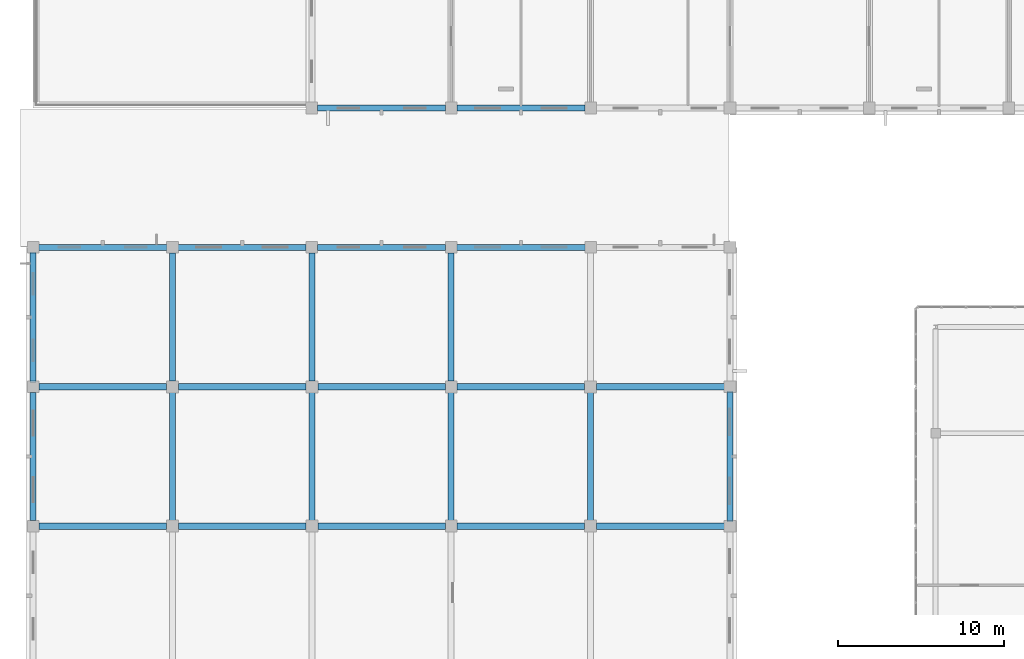
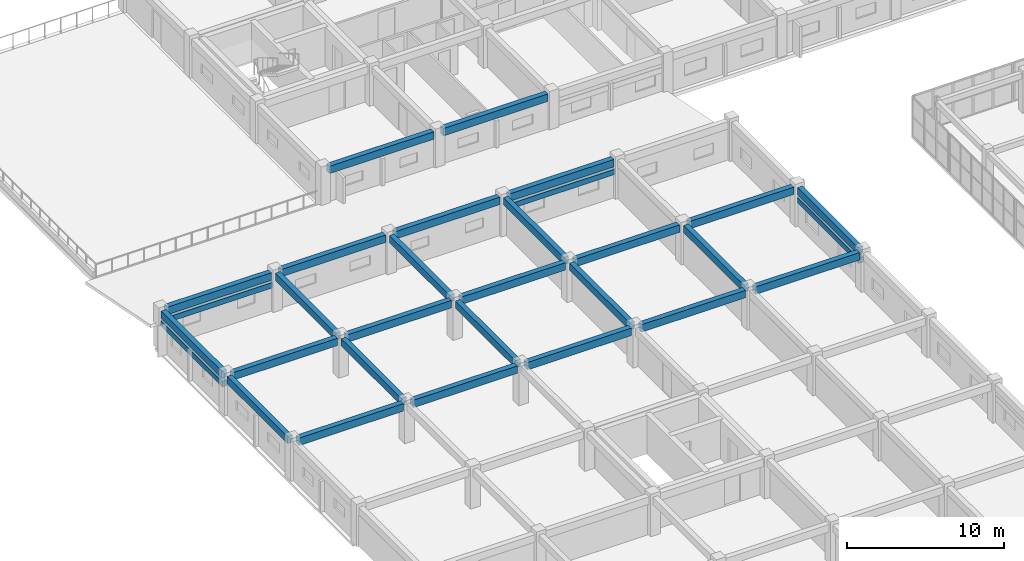
# One storey, part 50 of 148: 30 beams.
"""IFC4 building model written with IfcOpenShell, lengths in metres."""

from ifc_helpers import new_model, si_unit, direction, frame, origin, origin_2d, place, context, subcontext, project, spatial, rectangle, extrude, material, material_profile, profile_set, type_object, element, save


model = new_model("IFC4")

# Units and contexts
model_context = context("Model", 3, precision=1e-05, world=origin(), true_north=direction((0.0, 1.0)))
body_context = subcontext(model_context, "Body", "Model", "MODEL_VIEW")
ifc_project = project(units=[si_unit("LENGTHUNIT", "METRE"), si_unit("AREAUNIT", "SQUARE_METRE"), si_unit("VOLUMEUNIT", "CUBIC_METRE"), si_unit("PLANEANGLEUNIT", "RADIAN"), si_unit("MASSUNIT", "GRAM", prefix="KILO")], contexts=[model_context])

# Site, building, storey
site_placement = place(None, origin())
site = spatial("IfcSite", under=ifc_project, at=site_placement, CompositionType="ELEMENT")
building_placement = place(site_placement, origin())
building = spatial("IfcBuilding", under=site, at=building_placement, Name="Trelvath General Hospital", CompositionType="ELEMENT")
storey_placement = place(building_placement, frame((0.0, 0.0, 12.89990234375)))
storey = spatial("IfcBuildingStorey", under=building, at=storey_placement, Name="L03", CompositionType="ELEMENT", Elevation=12.89990234375)

# Beams
ifc_material_1 = material(Name="Concrete C35/45", Category="concrete")
ifc_material_profile_1 = material_profile(ifc_material_1, rectangle(XDim=0.360107421875, YDim=0.56005859375, at=origin_2d()), Name="RCB360x560")
ifc_profile_set_1 = profile_set([ifc_material_profile_1], Name="Concrete C35/45")
beam_type_1 = type_object("IfcBeamType", Name="Beam RC360x560", PredefinedType="BEAM", material=ifc_profile_set_1)
for number, where, z_axis, x_axis, name in (
    (1, (0.0, 67.544921875, 2.739990234375), (0.0, 1.0, 0.0), (-1.0, 0.0, 0.0), "Grid Beam BY-300I"),
    (2, (0.0, 75.945068359375, 2.739990234375), (0.0, 1.0, 0.0), (-1.0, 0.0, 0.0), "Grid Beam BY-300J"),
):
    element("IfcBeam", number, at=place(storey_placement, frame(where, z_axis=z_axis, x_axis=x_axis)), inside=storey, type_object=beam_type_1, Name=name, PredefinedType="BEAM", context=body_context, shape_type="SweptSolid", body=[
        extrude(rectangle(XDim=0.360107421875, YDim=0.56005859375, at=origin_2d()), origin(), (0.0, 0.0, 1.0), 7.7099609375),
    ])
beam_1_placement = place(storey_placement, frame((8.39990234375, 67.554931640625, 2.739990234375), z_axis=(0.0, 1.0, 0.0), x_axis=(-1.0, 0.0, 0.0)))
element("IfcBeam", 3, at=beam_1_placement, inside=storey, type_object=beam_type_1, Name="Grid Beam BY-301I", PredefinedType="BEAM", context=body_context, shape_type="SweptSolid", body=[
    extrude(rectangle(XDim=0.360107421875, YDim=0.56005859375, at=origin_2d()), origin(), (0.0, 0.0, 1.0), 7.690185546875),
])
beam_2_placement = place(storey_placement, frame((8.39990234375, 75.955078125, 2.739990234375), z_axis=(0.0, 1.0, 0.0), x_axis=(-1.0, 0.0, 0.0)))
element("IfcBeam", 4, at=beam_2_placement, inside=storey, type_object=beam_type_1, Name="Grid Beam BY-301J", PredefinedType="BEAM", context=body_context, shape_type="SweptSolid", body=[
    extrude(rectangle(XDim=0.360107421875, YDim=0.56005859375, at=origin_2d()), origin(), (0.0, 0.0, 1.0), 7.699951171875),
])
beam_3_placement = place(storey_placement, frame((16.800048828125, 67.554931640625, 2.739990234375), z_axis=(0.0, 1.0, 0.0), x_axis=(-1.0, 0.0, 0.0)))
element("IfcBeam", 5, at=beam_3_placement, inside=storey, type_object=beam_type_1, Name="Grid Beam BY-302I", PredefinedType="BEAM", context=body_context, shape_type="SweptSolid", body=[
    extrude(rectangle(XDim=0.360107421875, YDim=0.56005859375, at=origin_2d()), origin(), (0.0, 0.0, 1.0), 7.690185546875),
])
beam_4_placement = place(storey_placement, frame((16.800048828125, 75.955078125, 2.739990234375), z_axis=(0.0, 1.0, 0.0), x_axis=(-1.0, 0.0, 0.0)))
element("IfcBeam", 6, at=beam_4_placement, inside=storey, type_object=beam_type_1, Name="Grid Beam BY-302J", PredefinedType="BEAM", context=body_context, shape_type="SweptSolid", body=[
    extrude(rectangle(XDim=0.360107421875, YDim=0.56005859375, at=origin_2d()), origin(), (0.0, 0.0, 1.0), 7.699951171875),
])
beam_5_placement = place(storey_placement, frame((25.199951171875, 67.554931640625, 2.739990234375), z_axis=(0.0, 1.0, 0.0), x_axis=(-1.0, 0.0, 0.0)))
element("IfcBeam", 7, at=beam_5_placement, inside=storey, type_object=beam_type_1, Name="Grid Beam BY-303I", PredefinedType="BEAM", context=body_context, shape_type="SweptSolid", body=[
    extrude(rectangle(XDim=0.360107421875, YDim=0.56005859375, at=origin_2d()), origin(), (0.0, 0.0, 1.0), 7.690185546875),
])
beam_6_placement = place(storey_placement, frame((25.199951171875, 75.955078125, 2.739990234375), z_axis=(0.0, 1.0, 0.0), x_axis=(-1.0, 0.0, 0.0)))
element("IfcBeam", 8, at=beam_6_placement, inside=storey, type_object=beam_type_1, Name="Grid Beam BY-303J", PredefinedType="BEAM", context=body_context, shape_type="SweptSolid", body=[
    extrude(rectangle(XDim=0.360107421875, YDim=0.56005859375, at=origin_2d()), origin(), (0.0, 0.0, 1.0), 7.699951171875),
])
beam_7_placement = place(storey_placement, frame((33.60009765625, 67.554931640625, 2.739990234375), z_axis=(0.0, 1.0, 0.0), x_axis=(-1.0, 0.0, 0.0)))
element("IfcBeam", 9, at=beam_7_placement, inside=storey, type_object=beam_type_1, Name="Grid Beam BY-304I", PredefinedType="BEAM", context=body_context, shape_type="SweptSolid", body=[
    extrude(rectangle(XDim=0.360107421875, YDim=0.56005859375, at=origin_2d()), origin(), (0.0, 0.0, 1.0), 7.690185546875),
])
beam_8_placement = place(storey_placement, frame((42.0, 67.544921875, 2.739990234375), z_axis=(0.0, 1.0, 0.0), x_axis=(-1.0, 0.0, 0.0)))
element("IfcBeam", 10, at=beam_8_placement, inside=storey, type_object=beam_type_1, Name="Grid Beam BY-305I", PredefinedType="BEAM", context=body_context, shape_type="SweptSolid", body=[
    extrude(rectangle(XDim=0.360107421875, YDim=0.56005859375, at=origin_2d()), origin(), (0.0, 0.0, 1.0), 7.7099609375),
])
ifc_material_2 = material(Name="Concrete C35/45", Category="concrete")
ifc_material_profile_2 = material_profile(ifc_material_2, rectangle(XDim=0.3798828125, YDim=0.580078125, at=origin_2d()), Name="RCB380x580")
ifc_profile_set_2 = profile_set([ifc_material_profile_2], Name="Concrete C35/45")
beam_type_2 = type_object("IfcBeamType", Name="Beam RC380x580", PredefinedType="BEAM", material=ifc_profile_set_2)
for number, where, z_axis, x_axis, name in (
    (11, (0.344970703125, 67.199951171875, 2.72998046875), (1.0, 0.0, 0.0), (0.0, 1.0, 0.0), "Grid Beam BX-300I"),
    (12, (0.344970703125, 75.60009765625, 2.72998046875), (1.0, 0.0, 0.0), (0.0, 1.0, 0.0), "Grid Beam BX-300J"),
):
    element("IfcBeam", number, at=place(storey_placement, frame(where, z_axis=z_axis, x_axis=x_axis)), inside=storey, type_object=beam_type_2, Name=name, PredefinedType="BEAM", context=body_context, shape_type="SweptSolid", body=[
        extrude(rectangle(XDim=0.3798828125, YDim=0.580078125, at=origin_2d()), origin(), (0.0, 0.0, 1.0), 7.699951171875),
    ])
beam_9_placement = place(storey_placement, frame((0.344970703125, 84.0, 2.72998046875), z_axis=(1.0, 0.0, 0.0), x_axis=(0.0, 1.0, 0.0)))
element("IfcBeam", 13, at=beam_9_placement, inside=storey, type_object=beam_type_2, Name="Grid Beam BX-300K", PredefinedType="BEAM", context=body_context, shape_type="SweptSolid", body=[
    extrude(rectangle(XDim=0.3798828125, YDim=0.580078125, at=origin_2d()), origin(), (0.0, 0.0, 1.0), 7.7099609375),
])
for number, where, z_axis, x_axis, name in (
    (14, (8.7548828125, 67.199951171875, 2.72998046875), (1.0, 0.0, 0.0), (0.0, 1.0, 0.0), "Grid Beam BX-301I"),
    (15, (8.7548828125, 75.60009765625, 2.72998046875), (1.0, 0.0, 0.0), (0.0, 1.0, 0.0), "Grid Beam BX-301J"),
):
    element("IfcBeam", number, at=place(storey_placement, frame(where, z_axis=z_axis, x_axis=x_axis)), inside=storey, type_object=beam_type_2, Name=name, PredefinedType="BEAM", context=body_context, shape_type="SweptSolid", body=[
        extrude(rectangle(XDim=0.3798828125, YDim=0.580078125, at=origin_2d()), origin(), (0.0, 0.0, 1.0), 7.690185546875),
    ])
beam_10_placement = place(storey_placement, frame((8.7451171875, 84.0, 2.72998046875), z_axis=(1.0, 0.0, 0.0), x_axis=(0.0, 1.0, 0.0)))
element("IfcBeam", 16, at=beam_10_placement, inside=storey, type_object=beam_type_2, Name="Grid Beam BX-301K", PredefinedType="BEAM", context=body_context, shape_type="SweptSolid", body=[
    extrude(rectangle(XDim=0.3798828125, YDim=0.580078125, at=origin_2d()), origin(), (0.0, 0.0, 1.0), 7.7099609375),
])
for number, where, z_axis, x_axis, name in (
    (17, (17.155029296875, 67.199951171875, 2.72998046875), (1.0, 0.0, 0.0), (0.0, 1.0, 0.0), "Grid Beam BX-302I"),
    (18, (17.155029296875, 75.60009765625, 2.72998046875), (1.0, 0.0, 0.0), (0.0, 1.0, 0.0), "Grid Beam BX-302J"),
):
    element("IfcBeam", number, at=place(storey_placement, frame(where, z_axis=z_axis, x_axis=x_axis)), inside=storey, type_object=beam_type_2, Name=name, PredefinedType="BEAM", context=body_context, shape_type="SweptSolid", body=[
        extrude(rectangle(XDim=0.3798828125, YDim=0.580078125, at=origin_2d()), origin(), (0.0, 0.0, 1.0), 7.68994140625),
    ])
for number, where, z_axis, x_axis, name in (
    (19, (17.14501953125, 84.0, 2.72998046875), (1.0, 0.0, 0.0), (0.0, 1.0, 0.0), "Grid Beam BX-302K"),
    (20, (17.14501953125, 92.39990234375, 2.72998046875), (1.0, 0.0, 0.0), (0.0, 1.0, 0.0), "Grid Beam BX-302L"),
):
    element("IfcBeam", number, at=place(storey_placement, frame(where, z_axis=z_axis, x_axis=x_axis)), inside=storey, type_object=beam_type_2, Name=name, PredefinedType="BEAM", context=body_context, shape_type="SweptSolid", body=[
        extrude(rectangle(XDim=0.3798828125, YDim=0.580078125, at=origin_2d()), origin(), (0.0, 0.0, 1.0), 7.7099609375),
    ])
for number, where, z_axis, x_axis, name in (
    (21, (25.554931640625, 67.199951171875, 2.72998046875), (1.0, 0.0, 0.0), (0.0, 1.0, 0.0), "Grid Beam BX-303I"),
    (22, (25.554931640625, 75.60009765625, 2.72998046875), (1.0, 0.0, 0.0), (0.0, 1.0, 0.0), "Grid Beam BX-303J"),
):
    element("IfcBeam", number, at=place(storey_placement, frame(where, z_axis=z_axis, x_axis=x_axis)), inside=storey, type_object=beam_type_2, Name=name, PredefinedType="BEAM", context=body_context, shape_type="SweptSolid", body=[
        extrude(rectangle(XDim=0.3798828125, YDim=0.580078125, at=origin_2d()), origin(), (0.0, 0.0, 1.0), 7.690185546875),
    ])
for number, where, z_axis, x_axis, name in (
    (23, (25.544921875, 84.0, 2.72998046875), (1.0, 0.0, 0.0), (0.0, 1.0, 0.0), "Grid Beam BX-303K"),
    (24, (25.544921875, 92.39990234375, 2.72998046875), (1.0, 0.0, 0.0), (0.0, 1.0, 0.0), "Grid Beam BX-303L"),
):
    element("IfcBeam", number, at=place(storey_placement, frame(where, z_axis=z_axis, x_axis=x_axis)), inside=storey, type_object=beam_type_2, Name=name, PredefinedType="BEAM", context=body_context, shape_type="SweptSolid", body=[
        extrude(rectangle(XDim=0.3798828125, YDim=0.580078125, at=origin_2d()), origin(), (0.0, 0.0, 1.0), 7.7099609375),
    ])
for number, where, z_axis, x_axis, name in (
    (25, (33.955078125, 67.199951171875, 2.72998046875), (1.0, 0.0, 0.0), (0.0, 1.0, 0.0), "Grid Beam BX-304I"),
    (26, (33.955078125, 75.60009765625, 2.72998046875), (1.0, 0.0, 0.0), (0.0, 1.0, 0.0), "Grid Beam BX-304J"),
):
    element("IfcBeam", number, at=place(storey_placement, frame(where, z_axis=z_axis, x_axis=x_axis)), inside=storey, type_object=beam_type_2, Name=name, PredefinedType="BEAM", context=body_context, shape_type="SweptSolid", body=[
        extrude(rectangle(XDim=0.3798828125, YDim=0.580078125, at=origin_2d()), origin(), (0.0, 0.0, 1.0), 7.699951171875),
    ])
ifc_material_3 = material(Name="Precast concrete C40/50", Category="concrete")
ifc_material_profile_3 = material_profile(ifc_material_3, rectangle(XDim=0.35009765625, YDim=0.419921875, at=origin_2d()), Name="PCL350x420")
ifc_profile_set_3 = profile_set([ifc_material_profile_3], Name="Precast concrete C40/50")
beam_type_3 = type_object("IfcBeamType", Name="Lintel PC350x420", PredefinedType="LINTEL", material=ifc_profile_set_3)
for number, where, z_axis, x_axis, name in (
    (27, (0.264892578125, 84.0, 2.02001953125), (1.0, 0.0, 0.0), (0.0, 1.0, 0.0), "Precast Window Brow Lintel L03-332"),
    (28, (0.0, 75.864990234375, 2.02001953125), (0.0, 1.0, 0.0), (-1.0, 0.0, 0.0), "Precast Window Brow Lintel L03-333"),
):
    element("IfcBeam", number, at=place(storey_placement, frame(where, z_axis=z_axis, x_axis=x_axis)), inside=storey, type_object=beam_type_3, Name=name, PredefinedType="LINTEL", context=body_context, shape_type="SweptSolid", body=[
        extrude(rectangle(XDim=0.35009765625, YDim=0.419921875, at=origin_2d()), origin(), (0.0, 0.0, 1.0), 7.8701171875),
    ])
for number, where, z_axis, x_axis, name in (
    (29, (25.465087890625, 84.0, 2.02001953125), (1.0, 0.0, 0.0), (0.0, 1.0, 0.0), "Precast Window Brow Lintel L03-351"),
    (30, (42.0, 75.3349609375, 2.02001953125), (0.0, -1.0, 0.0), (1.0, 0.0, 0.0), "Precast Window Brow Lintel L03-361"),
):
    element("IfcBeam", number, at=place(storey_placement, frame(where, z_axis=z_axis, x_axis=x_axis)), inside=storey, type_object=beam_type_3, Name=name, PredefinedType="LINTEL", context=body_context, shape_type="SweptSolid", body=[
        extrude(rectangle(XDim=0.35009765625, YDim=0.419921875, at=origin_2d()), origin(), (0.0, 0.0, 1.0), 7.869873046875),
    ])

save(model, "model.ifc")
